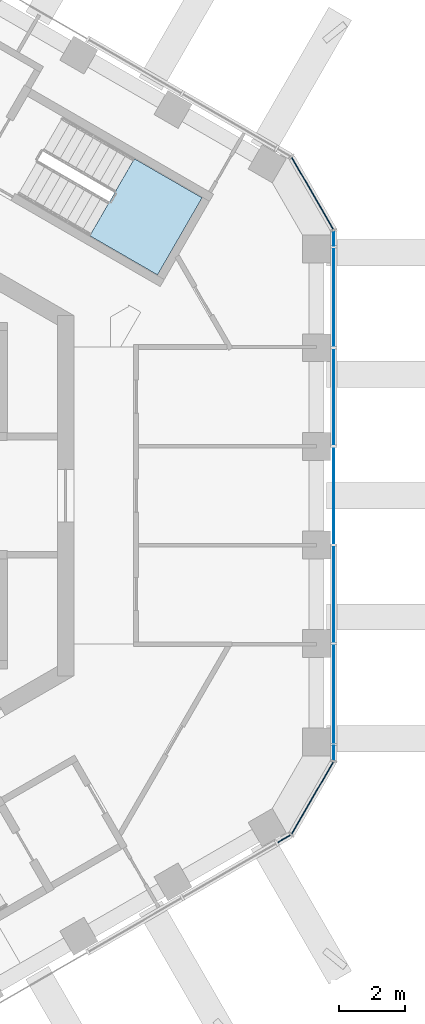
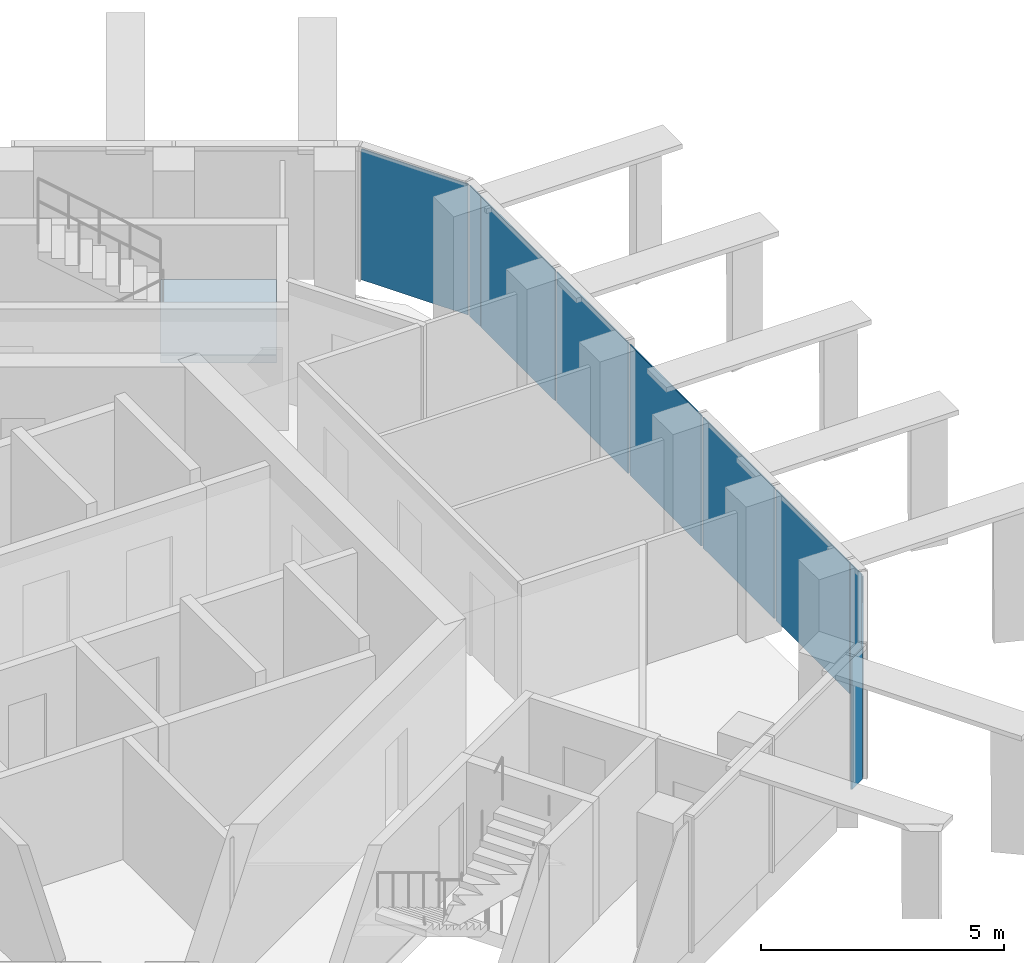
# One storey, part 9 of 18: 10 plates, 1 slab, 4 elements without a shape of their own.
"""IFC4 building model written with IfcOpenShell, lengths in metres."""

from ifc_helpers import new_model, si_unit, direction, frame, origin, origin_2d, place, context, subcontext, project, spatial, polyline, rectangle, outline, extrude, material, layer, layer_set, type_object, element, aggregate, save


model = new_model("IFC4")

# Units and contexts
model_context = context("Model", 3, precision=1e-05, world=origin(), true_north=direction((0.0, 1.0)))
body_context = subcontext(model_context, "Body", "Model", "MODEL_VIEW")
ifc_project = project(units=[si_unit("LENGTHUNIT", "METRE"), si_unit("AREAUNIT", "SQUARE_METRE"), si_unit("VOLUMEUNIT", "CUBIC_METRE"), si_unit("PLANEANGLEUNIT", "RADIAN"), si_unit("MASSUNIT", "GRAM", prefix="KILO")], contexts=[model_context])

# Site, building, storey
site_placement = place(None, origin())
site = spatial("IfcSite", under=ifc_project, at=site_placement, CompositionType="ELEMENT")
building_placement = place(site_placement, origin())
building = spatial("IfcBuilding", under=site, at=building_placement, Name="Ayvan Gate Tower", CompositionType="ELEMENT")
storey_placement = place(building_placement, frame((0.0, 0.0, 242.699951171875)))
storey = spatial("IfcBuildingStorey", under=building, at=storey_placement, Name="L65", CompositionType="ELEMENT", Elevation=242.699951171875)

# Stair, slab
ifc_material_1 = material(Name="Concrete C40/50", Category="concrete")
stair_type = type_object("IfcStairType", Name="ST-EXIT", PredefinedType="HALF_TURN_STAIR", material=ifc_material_1)
stair_placement = place(storey_placement, origin())
stair = element("IfcStair", 1, at=stair_placement, inside=storey, type_object=stair_type, Name="L65 Exit Stair S1", PredefinedType="HALF_TURN_STAIR")
ifc_layer_1 = layer(ifc_material_1, 0.199951171875)
ifc_layer_set_1 = layer_set([ifc_layer_1], Name="Concrete C40/50")
slab_type = type_object("IfcSlabType", Name="SL-LANDING-200", PredefinedType="LANDING", material=ifc_layer_set_1)
slab_placement = place(storey_placement, frame((0.0, 0.0, 1.5)))
slab = element("IfcSlab", 2, at=slab_placement, type_object=slab_type, Name="STS1 landing 1", PredefinedType="LANDING", context=body_context, shape_type="SweptSolid", body=[
    extrude(outline(polyline([(9.988525390625, 7.91064453125), (12.049560546875, 6.720458984375), (13.404541015625, 9.0673828125), (11.343505859375, 10.257568359375), (9.988525390625, 7.91064453125)])), origin(), (0.0, 0.0, 1.0), 0.199951171875),
])
aggregate(stair, [slab])

# Curtain wall, plates
ifc_material_2 = material(Name="Bronze anodised aluminium", Category="aluminium")
ifc_layer_2 = layer(ifc_material_2, 0.199951171875)
ifc_layer_set_2 = layer_set([ifc_layer_2], Name="Bronze anodised aluminium")
curtain_wall_type_1 = type_object("IfcCurtainWallType", Name="Stick curtain wall CW-2", PredefinedType="NOTDEFINED", material=ifc_layer_set_2)
curtain_wall_1_placement = place(storey_placement, origin())
curtain_wall_1 = element("IfcCurtainWall", 3, at=curtain_wall_1_placement, inside=storey, type_object=curtain_wall_type_1, Name="Stick curtain wall CW-2 L65", PredefinedType="NOTDEFINED")
ifc_material_3 = material(Name="Clear low-iron laminated glass", Category="glass")
ifc_layer_3 = layer(ifc_material_3, 0.028076171875)
ifc_layer_set_3 = layer_set([ifc_layer_3], Name="Clear low-iron laminated glass")
plate_type_1 = type_object("IfcPlateType", Name="Stick curtain wall CW-2 glass panel", PredefinedType="CURTAIN_PANEL", material=ifc_layer_set_3)
plate_1_placement = place(storey_placement, frame((17.41259765625, -6.054931640625, 0.0), z_axis=(0.0, 0.0, 1.0), x_axis=(0.0, 1.0, 0.0)))
plate_1 = element("IfcPlate", 4, at=plate_1_placement, type_object=plate_type_1, Name="CW-2 glass panel 1", PredefinedType="CURTAIN_PANEL", context=body_context, shape_type="SweptSolid", body=[
    extrude(rectangle(XDim=3.034912109375, YDim=0.028076171875, at=origin_2d()), origin(), (0.0, 0.0, 1.0), 3.280029296875),
])
plate_2_placement = place(storey_placement, frame((17.41259765625, -3.00146484375, 0.0), z_axis=(0.0, 0.0, 1.0), x_axis=(0.0, 1.0, 0.0)))
plate_2 = element("IfcPlate", 5, at=plate_2_placement, type_object=plate_type_1, Name="CW-2 glass panel 2", PredefinedType="CURTAIN_PANEL", context=body_context, shape_type="SweptSolid", body=[
    extrude(rectangle(XDim=2.931884765625, YDim=0.028076171875, at=origin_2d()), origin(), (0.0, 0.0, 1.0), 3.280029296875),
])
plate_3_placement = place(storey_placement, frame((17.41259765625, 0.000244140625, 0.0), z_axis=(0.0, 0.0, 1.0), x_axis=(0.0, 1.0, 0.0)))
plate_3 = element("IfcPlate", 6, at=plate_3_placement, type_object=plate_type_1, Name="CW-2 glass panel 3", PredefinedType="CURTAIN_PANEL", context=body_context, shape_type="SweptSolid", body=[
    extrude(rectangle(XDim=2.930908203125, YDim=0.028076171875, at=origin_2d()), origin(), (0.0, 0.0, 1.0), 3.280029296875),
])
plate_4_placement = place(storey_placement, frame((17.41259765625, 3.001708984375, 0.0), z_axis=(0.0, 0.0, 1.0), x_axis=(0.0, 1.0, 0.0)))
plate_4 = element("IfcPlate", 7, at=plate_4_placement, type_object=plate_type_1, Name="CW-2 glass panel 4", PredefinedType="CURTAIN_PANEL", context=body_context, shape_type="SweptSolid", body=[
    extrude(rectangle(XDim=2.931884765625, YDim=0.028076171875, at=origin_2d()), origin(), (0.0, 0.0, 1.0), 3.280029296875),
])
plate_5_placement = place(storey_placement, frame((17.41259765625, 6.054931640625, 0.0), z_axis=(0.0, 0.0, 1.0), x_axis=(0.0, 1.0, 0.0)))
plate_5 = element("IfcPlate", 8, at=plate_5_placement, type_object=plate_type_1, Name="CW-2 glass panel 5", PredefinedType="CURTAIN_PANEL", context=body_context, shape_type="SweptSolid", body=[
    extrude(rectangle(XDim=3.03466796875, YDim=0.028076171875, at=origin_2d()), origin(), (0.0, 0.0, 1.0), 3.280029296875),
])
aggregate(curtain_wall_1, [plate_1, plate_2, plate_3, plate_4, plate_5])

ifc_layer_4 = layer(ifc_material_2, 0.199951171875)
ifc_layer_set_4 = layer_set([ifc_layer_4], Name="Bronze anodised aluminium")
curtain_wall_type_2 = type_object("IfcCurtainWallType", Name="Stick curtain wall CW-6", PredefinedType="NOTDEFINED", material=ifc_layer_set_4)
curtain_wall_2_placement = place(storey_placement, origin())
curtain_wall_2 = element("IfcCurtainWall", 9, at=curtain_wall_2_placement, inside=storey, type_object=curtain_wall_type_2, Name="Stick curtain wall CW-6 L65", PredefinedType="NOTDEFINED")
ifc_layer_5 = layer(ifc_material_3, 0.028076171875)
ifc_layer_set_5 = layer_set([ifc_layer_5], Name="Clear low-iron laminated glass")
plate_type_2 = type_object("IfcPlateType", Name="Stick curtain wall CW-6 glass panel", PredefinedType="CURTAIN_PANEL", material=ifc_layer_set_5)
plate_6_placement = place(storey_placement, frame((15.90478515625, -10.44384765625, 0.0), z_axis=(0.0, 0.0, 1.0), x_axis=(0.866025403784, 0.5, 0.0)))
plate_6 = element("IfcPlate", 10, at=plate_6_placement, type_object=plate_type_2, Name="CW-6 glass panel 1", PredefinedType="CURTAIN_PANEL", context=body_context, shape_type="SweptSolid", body=[
    extrude(rectangle(XDim=0.449951171875, YDim=0.028076171875, at=origin_2d()), origin(), (0.0, 0.0, 1.0), 3.280029296875),
])
plate_7_placement = place(storey_placement, frame((16.766845703125, -9.20068359375, 0.0), z_axis=(0.0, 0.0, 1.0), x_axis=(0.5, 0.866025403784, 0.0)))
plate_7 = element("IfcPlate", 11, at=plate_7_placement, type_object=plate_type_2, Name="CW-6 glass panel 2", PredefinedType="CURTAIN_PANEL", context=body_context, shape_type="SweptSolid", body=[
    extrude(rectangle(XDim=2.532470703125, YDim=0.028076171875, at=origin_2d()), origin(), (0.0, 0.0, 1.0), 3.280029296875),
])
plate_8_placement = place(storey_placement, frame((17.41259765625, -7.832275390625, 0.0), z_axis=(0.0, 0.0, 1.0), x_axis=(0.0, 1.0, 0.0)))
plate_8 = element("IfcPlate", 12, at=plate_8_placement, type_object=plate_type_2, Name="CW-6 glass panel 3", PredefinedType="CURTAIN_PANEL", context=body_context, shape_type="SweptSolid", body=[
    extrude(rectangle(XDim=0.449951171875, YDim=0.028076171875, at=origin_2d()), origin(), (0.0, 0.0, 1.0), 3.280029296875),
])
aggregate(curtain_wall_2, [plate_6, plate_7, plate_8])

curtain_wall_3_placement = place(storey_placement, origin())
curtain_wall_3 = element("IfcCurtainWall", 13, at=curtain_wall_3_placement, inside=storey, type_object=curtain_wall_type_2, Name="Stick curtain wall CW-6 L65", PredefinedType="NOTDEFINED")
plate_9_placement = place(storey_placement, frame((17.41259765625, 7.832275390625, 0.0), z_axis=(0.0, 0.0, 1.0), x_axis=(0.0, 1.0, 0.0)))
plate_9 = element("IfcPlate", 14, at=plate_9_placement, type_object=plate_type_2, Name="CW-6 glass panel 1", PredefinedType="CURTAIN_PANEL", context=body_context, shape_type="SweptSolid", body=[
    extrude(rectangle(XDim=0.449951171875, YDim=0.028076171875, at=origin_2d()), origin(), (0.0, 0.0, 1.0), 3.280029296875),
])
plate_10_placement = place(storey_placement, frame((16.766845703125, 9.20068359375, 0.0), z_axis=(0.0, 0.0, 1.0), x_axis=(-0.5, 0.866025403784, 0.0)))
plate_10 = element("IfcPlate", 15, at=plate_10_placement, type_object=plate_type_2, Name="CW-6 glass panel 2", PredefinedType="CURTAIN_PANEL", context=body_context, shape_type="SweptSolid", body=[
    extrude(rectangle(XDim=2.532470703125, YDim=0.028076171875, at=origin_2d()), origin(), (0.0, 0.0, 1.0), 3.280029296875),
])
aggregate(curtain_wall_3, [plate_9, plate_10])

save(model, "model.ifc")
